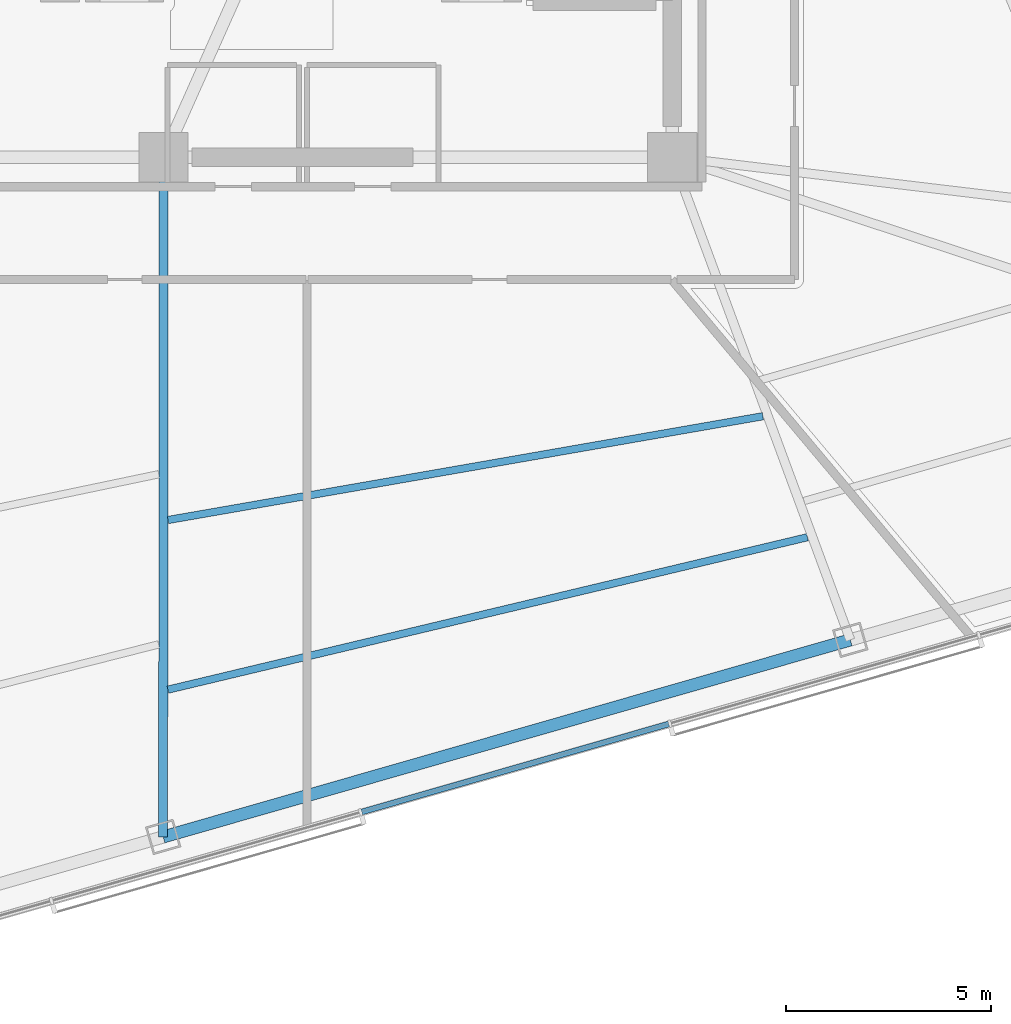
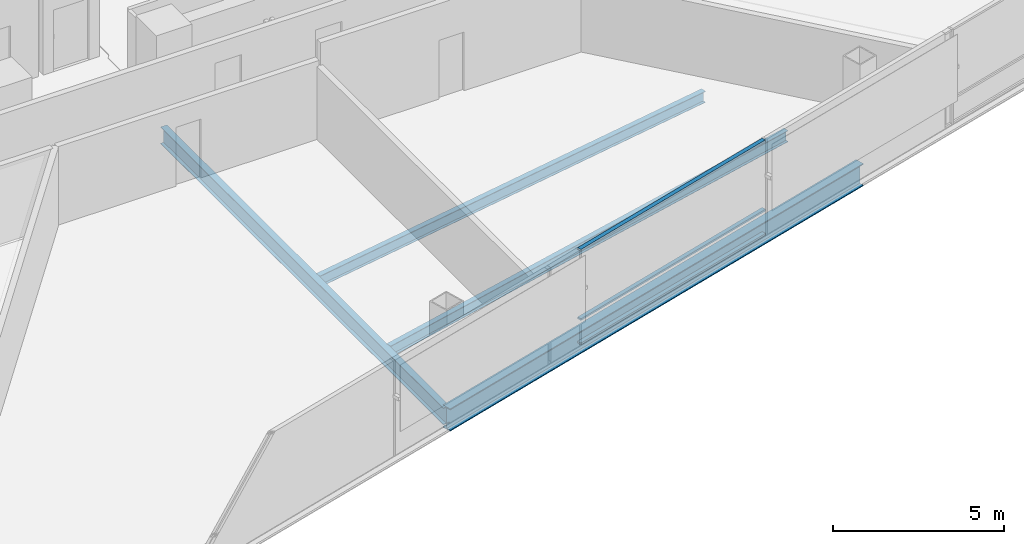
# One storey, part 3 of 19: 4 beams, 3 members, 1 element without a shape of its own.
"""IFC4 building model written with IfcOpenShell, lengths in metres."""

import ifcopenshell
import ifcopenshell.guid

model = None  # the IFC model being written
_history = None  # IfcOwnerHistory: only IFC2X3 demands one
_inside = {}  # id of a spatial element -> (the spatial element, [elements in it])
_under = {}  # id of a project, library or spatial element -> (it, [spatial elements below it])
_declared = {}  # id of a project -> (the project, [libraries it declares])
_typed = {}  # id of a type object -> (the type object, [elements of that type])
_made_of = {}  # id of a material, layer set ... -> (it, [elements and type objects made of it])


def new_model(schema):
    """Start an empty IFC model of exactly this schema.

    Asked for "IFC4X3", IfcOpenShell would pick the latest addendum, in which some entities
    have other attributes; the version numbers below select the first issue.
    IFC2X3 requires an IfcOwnerHistory on every rooted entity: one is made here for all.
    """
    global model, _history
    if schema == "IFC4X3":
        model = ifcopenshell.file(schema_version=(4, 3, 0, 0))
    else:
        model = ifcopenshell.file(schema=schema)
    _inside.clear()
    _under.clear()
    _declared.clear()
    _typed.clear()
    _made_of.clear()
    _history = None
    if model.schema == "IFC2X3":
        org = make("IfcOrganization", Name="unknown")
        user = make(
            "IfcPersonAndOrganization",
            ThePerson=make("IfcPerson", FamilyName="unknown"),
            TheOrganization=org,
        )
        app = make(
            "IfcApplication",
            ApplicationDeveloper=org,
            Version="unknown",
            ApplicationFullName="unknown",
            ApplicationIdentifier="unknown",
        )
        _history = make(
            "IfcOwnerHistory",
            OwningUser=user,
            OwningApplication=app,
            ChangeAction="ADDED",
            CreationDate=0,
        )
    return model


def make(cls, **values):
    """One entity of the class cls with the attributes given. An attribute that is None is left unset."""
    return model.create_entity(
        cls, **{name: value for name, value in values.items() if value is not None}
    )


def rooted(cls, **values):
    """An entity with a GlobalId (a new one), such as an element, a storey or a relation."""
    return make(cls, GlobalId=ifcopenshell.guid.new(), OwnerHistory=_history, **values)


def si_unit(unit_type, name, prefix=None):
    """IfcSIUnit, for example si_unit("LENGTHUNIT", "METRE", prefix="MILLI")."""
    return make("IfcSIUnit", UnitType=unit_type, Prefix=prefix, Name=name)


def assignment(units):
    """IfcUnitAssignment: the units of a project."""
    return None if units is None else make("IfcUnitAssignment", Units=units)


def point(xyz):
    """IfcCartesianPoint."""
    return None if xyz is None else make("IfcCartesianPoint", Coordinates=xyz)


def direction(xyz):
    """IfcDirection."""
    return None if xyz is None else make("IfcDirection", DirectionRatios=xyz)


def frame(location, z_axis=None, x_axis=None):
    """IfcAxis2Placement3D, a coordinate frame: its origin and axes. An axis left out is left unset."""
    return make(
        "IfcAxis2Placement3D",
        Location=point(location),
        Axis=direction(z_axis),
        RefDirection=direction(x_axis),
    )


def frame_2d(location, x_axis=None):
    """IfcAxis2Placement2D, a coordinate frame in the plane: its origin and x axis."""
    return make(
        "IfcAxis2Placement2D", Location=point(location), RefDirection=direction(x_axis)
    )


def origin():
    """The frame at (0, 0, 0) with its axes left unset."""
    return frame((0.0, 0.0, 0.0))


def origin_2d():
    """The frame at (0, 0) in the plane with its x axis left unset."""
    return frame_2d((0.0, 0.0))


def place(relative_to, where):
    """IfcLocalPlacement: puts the frame where relative to a parent placement (None: the world)."""
    return make(
        "IfcLocalPlacement", PlacementRelTo=relative_to, RelativePlacement=where
    )


def context(
    kind, dimensions, precision=None, world=None, true_north=None, identifier=None
):
    """IfcGeometricRepresentationContext, for example the 3D "Model" context."""
    return make(
        "IfcGeometricRepresentationContext",
        ContextIdentifier=identifier,
        ContextType=kind,
        CoordinateSpaceDimension=dimensions,
        Precision=precision,
        WorldCoordinateSystem=world,
        TrueNorth=true_north,
    )


def subcontext(parent, identifier, kind, view, scale=None):
    """IfcGeometricRepresentationSubContext, for example "Body" below "Model"."""
    return make(
        "IfcGeometricRepresentationSubContext",
        ContextIdentifier=identifier,
        ContextType=kind,
        ParentContext=parent,
        TargetScale=scale,
        TargetView=view,
    )


def project(units=None, contexts=None):
    """IfcProject with its units and contexts."""
    return rooted(
        "IfcProject",
        Name="project",
        RepresentationContexts=contexts,
        UnitsInContext=assignment(units),
    )


def spatial(cls, under=None, at=None, **own):
    """A site, building, storey or space (cls), placed at a placement, below another one or the project."""
    s = rooted(cls, ObjectPlacement=at, **own)
    if under is not None:
        _under.setdefault(under.id(), (under, []))[1].append(s)
    return s


def profile(cls, at=None, kind="AREA", **sizes):
    """A parametric profile (cls). Its sizes go by their IFC names, for example OverallWidth=200.0."""
    return make(cls, ProfileType=kind, Position=at, **sizes)


def rectangle(**sizes):
    """IfcRectangleProfileDef."""
    return profile("IfcRectangleProfileDef", **sizes)


def i_section(**sizes):
    """IfcIShapeProfileDef."""
    return profile("IfcIShapeProfileDef", **sizes)


def extrude(swept, where, along, depth):
    """IfcExtrudedAreaSolid: the profile swept, set in the frame where, extruded along a direction by depth."""
    return make(
        "IfcExtrudedAreaSolid",
        SweptArea=swept,
        Position=where,
        ExtrudedDirection=direction(along),
        Depth=depth,
    )


def shape(context_of_items, identifier, shape_type, items):
    """IfcShapeRepresentation: the items that make up one representation, for example the "Body"."""
    return make(
        "IfcShapeRepresentation",
        ContextOfItems=context_of_items,
        RepresentationIdentifier=identifier,
        RepresentationType=shape_type,
        Items=items,
    )


def material(Name=None, Category=None):
    """IfcMaterial."""
    return make("IfcMaterial", Name=Name, Category=Category)


def layer(
    of_material, thickness, ventilated=None, Name=None, Category=None, Priority=None
):
    """IfcMaterialLayer: one layer of a wall or slab, of a material (None: an air gap)."""
    return make(
        "IfcMaterialLayer",
        Material=of_material,
        LayerThickness=thickness,
        IsVentilated=ventilated,
        Name=Name,
        Category=Category,
        Priority=Priority,
    )


def layer_set(layers, Name=None):
    """IfcMaterialLayerSet."""
    return make("IfcMaterialLayerSet", MaterialLayers=layers, LayerSetName=Name)


def material_profile(
    of_material, cross_section, Name=None, Category=None, Priority=None
):
    """IfcMaterialProfile: a cross section and its material."""
    return make(
        "IfcMaterialProfile",
        Name=Name,
        Material=of_material,
        Profile=cross_section,
        Priority=Priority,
        Category=Category,
    )


def profile_set(profiles, Name=None, composite=None):
    """IfcMaterialProfileSet."""
    return make(
        "IfcMaterialProfileSet",
        Name=Name,
        MaterialProfiles=profiles,
        CompositeProfile=composite,
    )


def made_of(thing, what):
    """Note that an element or type object is made of a material, layer set ...; save() writes the relation."""
    if what is not None:
        _made_of.setdefault(what.id(), (what, []))[1].append(thing)
    return thing


def type_object(cls, material=None, **own):
    """A type object (cls), such as IfcWallType, which elements share."""
    return made_of(rooted(cls, **own), material)


def element(
    cls,
    number,
    at=None,
    inside=None,
    cuts=None,
    type_object=None,
    material=None,
    context=None,
    identifier="Body",
    shape_type=None,
    held_by="IfcProductDefinitionShape",
    body=None,
    shapes=None,
    **own,
):
    """One element of the class cls, such as IfcWall. Its Tag is "e" and its number.

    at: its placement. inside: the storey or other place that contains it. cuts: it is an
    opening in that element (IfcRelVoidsElement). A single representation is given by context,
    identifier, shape_type and body (its items); several are given by shapes. held_by: the class
    of the entity that holds the representations. save() writes the other relations.
    """
    e = rooted(cls, Tag="e%d" % number, ObjectPlacement=at, **own)
    if body is not None:
        shapes = [shape(context, identifier, shape_type, body)]
    if shapes is not None:
        e.Representation = make(held_by, Representations=shapes)
    if inside is not None:
        _inside.setdefault(inside.id(), (inside, []))[1].append(e)
    if cuts is not None:
        rooted(
            "IfcRelVoidsElement", RelatingBuildingElement=cuts, RelatedOpeningElement=e
        )
    if type_object is not None:
        _typed.setdefault(type_object.id(), (type_object, []))[1].append(e)
    return made_of(e, material)


def aggregate(whole, parts):
    """IfcRelAggregates: a whole, such as a stair, and the parts it consists of."""
    return rooted("IfcRelAggregates", RelatingObject=whole, RelatedObjects=parts)


def save(model, path):
    """Write the relations noted so far, then the file.

    IfcRelAggregates (storeys below a building ...), IfcRelContainedInSpatialStructure (elements
    in a storey), IfcRelDefinesByType, IfcRelAssociatesMaterial and IfcRelDeclares: one each for
    every whole, place, type object, material and project.
    """
    for whole, parts in _under.values():
        aggregate(whole, parts)
    for where, things in _inside.values():
        rooted(
            "IfcRelContainedInSpatialStructure",
            RelatedElements=things,
            RelatingStructure=where,
        )
    for kind, things in _typed.values():
        rooted("IfcRelDefinesByType", RelatedObjects=things, RelatingType=kind)
    for what, things in _made_of.values():
        rooted("IfcRelAssociatesMaterial", RelatedObjects=things, RelatingMaterial=what)
    for by, libraries in _declared.values():
        rooted("IfcRelDeclares", RelatingContext=by, RelatedDefinitions=libraries)
    model.write(path)


model = new_model("IFC4")

# Units and contexts
model_context = context("Model", 3, precision=1e-05, world=origin(), true_north=direction((0.0, 1.0)))
body_context = subcontext(model_context, "Body", "Model", "MODEL_VIEW")
ifc_project = project(units=[si_unit("LENGTHUNIT", "METRE"), si_unit("AREAUNIT", "SQUARE_METRE"), si_unit("VOLUMEUNIT", "CUBIC_METRE"), si_unit("PLANEANGLEUNIT", "RADIAN"), si_unit("MASSUNIT", "GRAM", prefix="KILO")], contexts=[model_context])

# Site, building, storey
site_placement = place(None, origin())
site = spatial("IfcSite", under=ifc_project, at=site_placement, CompositionType="ELEMENT")
building_placement = place(site_placement, origin())
building = spatial("IfcBuilding", under=site, at=building_placement, Name="Tharavind Bronze Gate", CompositionType="ELEMENT")
storey_placement = place(building_placement, frame((0.0, 0.0, 89.699951171875)))
storey = spatial("IfcBuildingStorey", under=building, at=storey_placement, Name="L22", CompositionType="ELEMENT", Elevation=89.699951171875)

# Curtain wall, members
ifc_material_1 = material(Name="Anodised Bronze Aluminium", Category="aluminium")
ifc_layer = layer(ifc_material_1, 0.219970703125)
ifc_layer_set = layer_set([ifc_layer], Name="Anodised Bronze Aluminium")
curtain_wall_type = type_object("IfcCurtainWallType", Name="UNITISED CURTAIN WALL LOWER OFFICE", PredefinedType="USERDEFINED", material=ifc_layer_set)
curtain_wall_placement = place(storey_placement, origin())
curtain_wall = element("IfcCurtainWall", 1, at=curtain_wall_placement, inside=storey, type_object=curtain_wall_type, Name="L22 unitised curtain wall lower office CW-L22-S2", ObjectType="UNITISED CURTAIN WALL", PredefinedType="USERDEFINED")
member_type = type_object("IfcMemberType", Name="CURTAIN WALL BRONZE TRANSOM 65X140", PredefinedType="USERDEFINED", material=ifc_material_1)
member_1_placement = place(storey_placement, frame((5.07177734375, -22.487060546875, 0.0), z_axis=(0.0, 0.0, 1.0), x_axis=(0.961261695938, 0.275637355817, 0.0)))
member_1 = element("IfcMember", 2, at=member_1_placement, type_object=member_type, Name="CW-L22-S2 transom TB4", ObjectType="TRANSOM", PredefinedType="USERDEFINED", context=body_context, shape_type="SweptSolid", body=[
    extrude(rectangle(XDim=7.7841796875, YDim=0.139892578125, at=origin_2d()), origin(), (0.0, 0.0, 1.0), 0.06494140625),
])
member_2_placement = place(storey_placement, frame((5.07177734375, -22.487060546875, 0.86767578125), z_axis=(0.0, 0.0, 1.0), x_axis=(0.961261695938, 0.275637355817, 0.0)))
member_2 = element("IfcMember", 3, at=member_2_placement, type_object=member_type, Name="CW-L22-S2 transom TS4", ObjectType="TRANSOM", PredefinedType="USERDEFINED", context=body_context, shape_type="SweptSolid", body=[
    extrude(rectangle(XDim=7.7841796875, YDim=0.139892578125, at=origin_2d()), origin(), (0.0, 0.0, 1.0), 0.06494140625),
])
member_3_placement = place(storey_placement, frame((5.07177734375, -22.487060546875, 3.344970703125), z_axis=(0.0, 0.0, 1.0), x_axis=(0.961261695938, 0.275637355817, 0.0)))
member_3 = element("IfcMember", 4, at=member_3_placement, type_object=member_type, Name="CW-L22-S2 transom TT4", ObjectType="TRANSOM", PredefinedType="USERDEFINED", context=body_context, shape_type="SweptSolid", body=[
    extrude(rectangle(XDim=7.7841796875, YDim=0.139892578125, at=origin_2d()), origin(), (0.0, 0.0, 1.0), 0.06494140625),
])
aggregate(curtain_wall, [member_1, member_2, member_3])

# Beams
ifc_material_2 = material(Name="Steel S355", Category="steel")
ifc_material_profile_1 = material_profile(ifc_material_2, i_section(OverallWidth=0.219970703125, OverallDepth=0.60009765625, WebThickness=0.011962890625, FlangeThickness=0.01904296875, at=origin_2d()), Name="IPE600")
ifc_profile_set_1 = profile_set([ifc_material_profile_1], Name="Steel S355")
beam_type_1 = type_object("IfcBeamType", Name="PRIMARY GIRDER IPE600", PredefinedType="USERDEFINED", material=ifc_profile_set_1)
beam_1_placement = place(storey_placement, frame((-3.5078125, -24.1669921875, -0.489990234375), z_axis=(0.000471572938, 0.999999888809, 0.0), x_axis=(-0.999999888809, 0.000471572938, 0.0)))
element("IfcBeam", 5, at=beam_1_placement, inside=storey, type_object=beam_type_1, Name="L22 primary girder ipe600 BM-L22-RAD06", ObjectType="GIRDER", PredefinedType="USERDEFINED", context=body_context, shape_type="SweptSolid", body=[
    extrude(i_section(OverallWidth=0.219970703125, OverallDepth=0.60009765625, WebThickness=0.011962890625, FlangeThickness=0.01904296875, at=origin_2d()), origin(), (0.0, 0.0, 1.0), 16.56689453125),
])
ifc_material_profile_2 = material_profile(ifc_material_2, i_section(OverallWidth=0.300048828125, OverallDepth=0.800048828125, WebThickness=0.017578125, FlangeThickness=0.032958984375, at=origin_2d()), Name="HE800B")
ifc_profile_set_2 = profile_set([ifc_material_profile_2], Name="Steel S355")
beam_type_2 = type_object("IfcBeamType", Name="RING GIRDER HE800B", PredefinedType="USERDEFINED", material=ifc_profile_set_2)
beam_2_placement = place(storey_placement, frame((-3.5078125, -24.1669921875, -0.58984375), z_axis=(0.961261198388, 0.275639090974, 0.0), x_axis=(-0.275639090974, 0.961261198388, 0.0)))
element("IfcBeam", 6, at=beam_2_placement, inside=storey, type_object=beam_type_2, Name="L22 ring girder he800b BM-L22-PRG06", ObjectType="GIRDER", PredefinedType="USERDEFINED", context=body_context, shape_type="SweptSolid", body=[
    extrude(i_section(OverallWidth=0.300048828125, OverallDepth=0.800048828125, WebThickness=0.017578125, FlangeThickness=0.032958984375, at=origin_2d()), origin(), (0.0, 0.0, 1.0), 17.42041015625),
])
ifc_material_profile_3 = material_profile(ifc_material_2, i_section(OverallWidth=0.179931640625, OverallDepth=0.39990234375, WebThickness=0.008544921875, FlangeThickness=0.013427734375, at=origin_2d()), Name="IPE400")
ifc_profile_set_3 = profile_set([ifc_material_profile_3], Name="Steel S355")
beam_type_3 = type_object("IfcBeamType", Name="SECONDARY FLOOR JOIST IPE400", PredefinedType="JOIST", material=ifc_profile_set_3)
beam_3_placement = place(storey_placement, frame((-3.390380859375, -16.443603515625, -0.389892578125), z_axis=(0.985119071956, 0.171873250008, 0.0), x_axis=(-0.171873250008, 0.985119071956, 0.0)))
element("IfcBeam", 7, at=beam_3_placement, inside=storey, type_object=beam_type_3, Name="L22 secondary floor joist ipe400 BM-L22-JSTA06", PredefinedType="JOIST", context=body_context, shape_type="SweptSolid", body=[
    extrude(i_section(OverallWidth=0.179931640625, OverallDepth=0.39990234375, WebThickness=0.008544921875, FlangeThickness=0.013427734375, at=origin_2d()), origin(), (0.0, 0.0, 1.0), 14.716064453125),
])
beam_4_placement = place(storey_placement, frame((-3.392333984375, -20.577880859375, -0.389892578125), z_axis=(0.972740944014, 0.231894492903, 0.0), x_axis=(-0.231894492903, 0.972740944014, 0.0)))
element("IfcBeam", 8, at=beam_4_placement, inside=storey, type_object=beam_type_3, Name="L22 secondary floor joist ipe400 BM-L22-JSTB06", PredefinedType="JOIST", context=body_context, shape_type="SweptSolid", body=[
    extrude(i_section(OverallWidth=0.179931640625, OverallDepth=0.39990234375, WebThickness=0.008544921875, FlangeThickness=0.013427734375, at=origin_2d()), origin(), (0.0, 0.0, 1.0), 16.022705078125),
])

save(model, "model.ifc")
